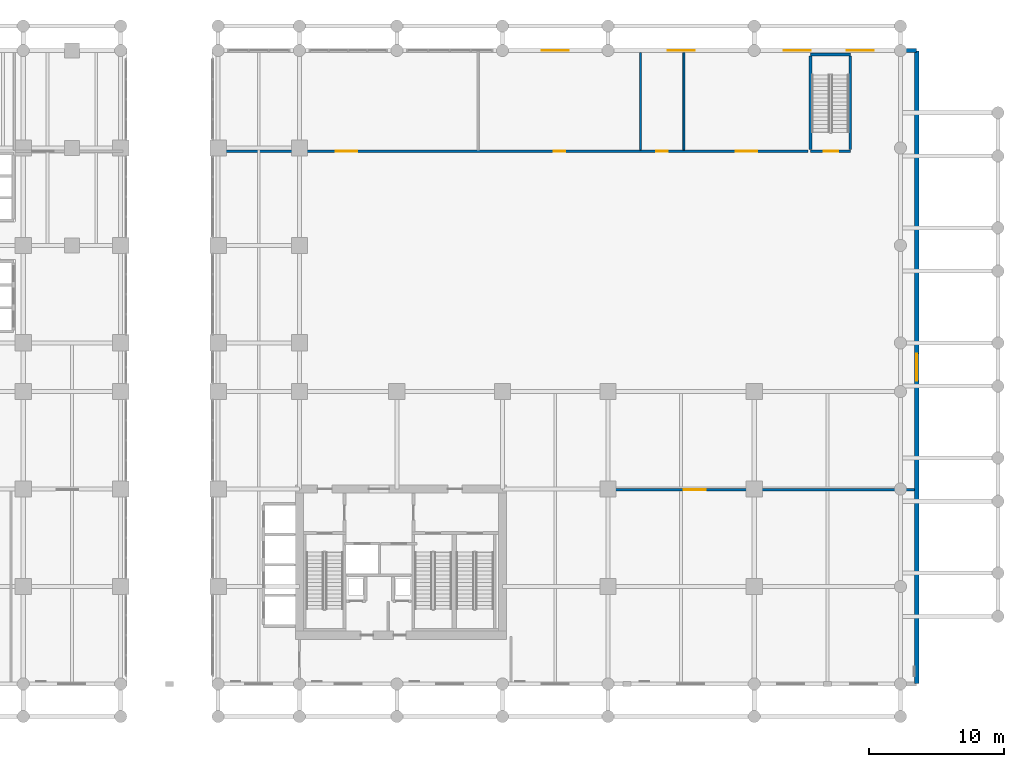
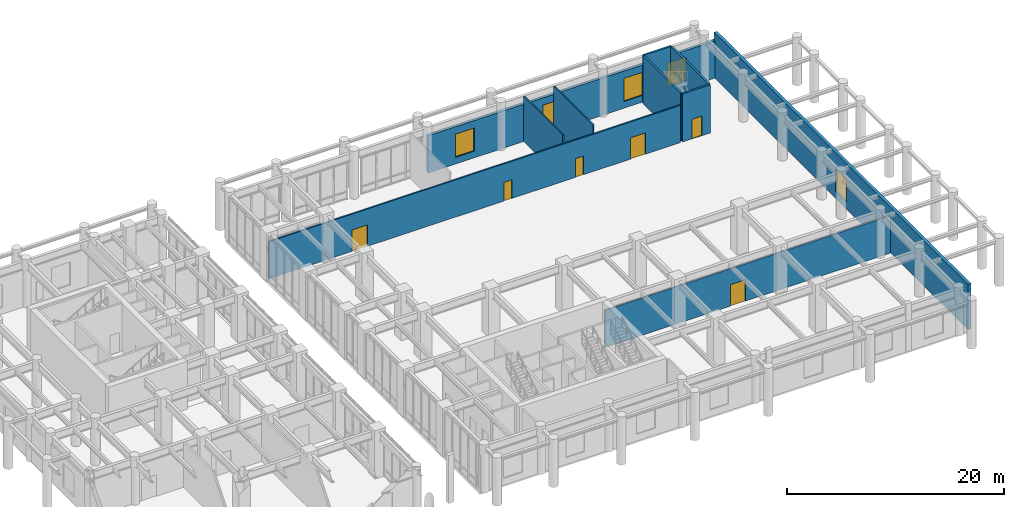
# One storey, part 18 of 23: 10 walls, 6 doors, 5 windows, 11 openings.
"""IFC4 building model written with IfcOpenShell, lengths in metres."""

from ifc_helpers import new_model, si_unit, derived_unit, direction, frame, frame_2d, origin, place, context, subcontext, project, spatial, rectangle, extrude, source, transform, mapped, material, layer, layer_set, type_object, type_shapes, element, fill, save


model = new_model("IFC4")

# Units and contexts
model_context = context("Model", 3, precision=1e-05, world=origin(), true_north=direction((0.0, 1.0)))
body_context = subcontext(model_context, "Body", "Model", "MODEL_VIEW")
ifc_project = project(units=[si_unit("LENGTHUNIT", "METRE"), si_unit("AREAUNIT", "SQUARE_METRE"), si_unit("VOLUMEUNIT", "CUBIC_METRE"), si_unit("PLANEANGLEUNIT", "RADIAN"), si_unit("MASSUNIT", "GRAM", prefix="KILO"), si_unit("THERMODYNAMICTEMPERATUREUNIT", "KELVIN"), si_unit("POWERUNIT", "WATT"), derived_unit("THERMALTRANSMITTANCEUNIT", [(si_unit("POWERUNIT", "WATT"), 1), (si_unit("AREAUNIT", "SQUARE_METRE"), -1), (si_unit("THERMODYNAMICTEMPERATUREUNIT", "KELVIN"), -1)])], contexts=[model_context])

# Site, building, storey
site_placement = place(None, origin())
site = spatial("IfcSite", under=ifc_project, at=site_placement, CompositionType="ELEMENT")
building_placement = place(site_placement, origin())
building = spatial("IfcBuilding", under=site, at=building_placement, Name="Zahravan Archway Hotel and Residences", CompositionType="ELEMENT")
storey_placement = place(building_placement, frame((0.0, 0.0, 5.39990234375)))
storey = spatial("IfcBuildingStorey", under=building, at=storey_placement, Name="L01", CompositionType="ELEMENT", Elevation=5.39990234375)

# Wall, opening, window
ifc_material_1 = material(Name="Agra Buff Sandstone & Insulated Backup", Category="masonry")
ifc_layer_1 = layer(ifc_material_1, 0.320068359375, Name="Agra Buff Sandstone & Insulated Backup", Category="masonry")
ifc_layer_set_1 = layer_set([ifc_layer_1], Name="Agra Buff Sandstone & Insulated Backup")
wall_type_1 = type_object("IfcWallType", Name="EW-SAND-320", PredefinedType="SOLIDWALL", material=ifc_layer_set_1)
wall_1_placement = place(storey_placement, frame((80.39990234375, 0.050048828125, 0.0), z_axis=(0.0, 0.0, 1.0), x_axis=(0.0, 1.0, 0.0)))
wall_1 = element("IfcWall", 1, at=wall_1_placement, inside=storey, type_object=wall_type_1, Name="L01 Podium Sandstone E Wall", PredefinedType="SOLIDWALL", context=body_context, shape_type="SweptSolid", body=[
    extrude(rectangle(XDim=46.699951171875, YDim=0.320068359375, at=frame_2d((23.35009765625, 0.0))), origin(), (0.0, 0.0, 1.0), 5.10009765625),
])
opening_1_placement = place(wall_1_placement, frame((22.35009765625, 0.0, 0.75)))
opening_1 = element("IfcOpeningElement", 2, at=opening_1_placement, cuts=wall_1, Name="Opening W-01", PredefinedType="OPENING", context=body_context, shape_type="SweptSolid", body=[
    extrude(rectangle(XDim=2.0, YDim=2.60009765625, at=frame_2d((1.0, 1.300048828125))), frame((0.0, 0.169921875, 0.0), z_axis=(0.0, -1.0, 0.0), x_axis=(1.0, 0.0, 0.0)), (0.0, 0.0, 1.0), 0.340087890625),
])
ifc_material_2 = material(Name="Bronze-Anodized Thermal-Break Aluminium & Low-E Glass", Category="aluminium")
window_type = type_object("IfcWindowType", Name="WIN-ARC-2000", PartitioningType="DOUBLE_PANEL_VERTICAL", PredefinedType="WINDOW", material=ifc_material_2)
shared_shape_1 = source(origin(), body_context, "Body", "SweptSolid", [
    extrude(rectangle(XDim=2.0, YDim=2.60009765625, at=frame_2d((1.0, 1.300048828125))), frame((0.0, 0.030029296875, 0.0), z_axis=(0.0, -1.0, 0.0), x_axis=(1.0, 0.0, 0.0)), (0.0, 0.0, 1.0), 0.06005859375),
])
type_shapes(window_type, [shared_shape_1])
window_1_placement = place(opening_1_placement, origin())
window_1 = element("IfcWindow", 3, at=window_1_placement, inside=storey, type_object=window_type, Name="L01 Podium Mughal Arch Window 12", OverallHeight=2.60009765625, OverallWidth=2.0, PartitioningType="DOUBLE_PANEL_VERTICAL", PredefinedType="WINDOW", context=body_context, shape_type="MappedRepresentation", body=[
    mapped(shared_shape_1, transform((0.0, 0.0, 0.0), scale=1.0)),
])
fill(opening_1, window_1)

# Wall, openings, windows
wall_2_placement = place(storey_placement, frame((49.800048828125, 46.800048828125, 0.0), z_axis=(0.0, 0.0, 1.0), x_axis=(1.0, 0.0, 0.0)))
wall_2 = element("IfcWall", 4, at=wall_2_placement, inside=storey, type_object=wall_type_1, Name="L01 Podium Sandstone NE Wall", PredefinedType="SOLIDWALL", context=body_context, shape_type="SweptSolid", body=[
    extrude(rectangle(XDim=30.599853515625, YDim=0.320068359375, at=frame_2d((15.2998046875, 0.0))), origin(), (0.0, 0.0, 1.0), 4.18505859375),
])
opening_2_placement = place(wall_2_placement, frame((2.89990234375, 0.0, 0.75)))
opening_2 = element("IfcOpeningElement", 5, at=opening_2_placement, cuts=wall_2, Name="Opening W-01", PredefinedType="OPENING", context=body_context, shape_type="SweptSolid", body=[
    extrude(rectangle(XDim=2.0, YDim=2.60009765625, at=frame_2d((1.0, 1.300048828125))), frame((0.0, 0.169921875, 0.0), z_axis=(0.0, -1.0, 0.0), x_axis=(1.0, 0.0, 0.0)), (0.0, 0.0, 1.0), 0.340087890625),
])
opening_3_placement = place(wall_2_placement, frame((12.199951171875, 0.0, 0.75)))
opening_3 = element("IfcOpeningElement", 6, at=opening_3_placement, cuts=wall_2, Name="Opening W-01", PredefinedType="OPENING", context=body_context, shape_type="SweptSolid", body=[
    extrude(rectangle(XDim=2.0, YDim=2.60009765625, at=frame_2d((1.0, 1.300048828125))), frame((0.0, 0.169921875, 0.0), z_axis=(0.0, -1.0, 0.0), x_axis=(1.0, 0.0, 0.0)), (0.0, 0.0, 1.0), 0.340087890625),
])
opening_4_placement = place(wall_2_placement, frame((20.784912109375, 0.0, 0.75)))
opening_4 = element("IfcOpeningElement", 7, at=opening_4_placement, cuts=wall_2, Name="Opening W-01", PredefinedType="OPENING", context=body_context, shape_type="SweptSolid", body=[
    extrude(rectangle(XDim=2.0, YDim=2.60009765625, at=frame_2d((1.0, 1.300048828125))), frame((0.0, 0.169921875, 0.0), z_axis=(0.0, -1.0, 0.0), x_axis=(1.0, 0.0, 0.0)), (0.0, 0.0, 1.0), 0.340087890625),
])
opening_5_placement = place(wall_2_placement, frame((25.445068359375, 0.0, 0.75)))
opening_5 = element("IfcOpeningElement", 8, at=opening_5_placement, cuts=wall_2, Name="Opening W-01", PredefinedType="OPENING", context=body_context, shape_type="SweptSolid", body=[
    extrude(rectangle(XDim=2.0, YDim=2.60009765625, at=frame_2d((1.0, 1.300048828125))), frame((0.0, 0.169921875, 0.0), z_axis=(0.0, -1.0, 0.0), x_axis=(1.0, 0.0, 0.0)), (0.0, 0.0, 1.0), 0.340087890625),
])
window_2_placement = place(opening_2_placement, origin())
window_2 = element("IfcWindow", 9, at=window_2_placement, inside=storey, type_object=window_type, Name="L01 Podium Mughal Arch Window 16", OverallHeight=2.60009765625, OverallWidth=2.0, PartitioningType="DOUBLE_PANEL_VERTICAL", PredefinedType="WINDOW", context=body_context, shape_type="MappedRepresentation", body=[
    mapped(shared_shape_1, transform((0.0, 0.0, 0.0), scale=1.0)),
])
fill(opening_2, window_2)
window_3_placement = place(opening_3_placement, origin())
window_3 = element("IfcWindow", 10, at=window_3_placement, inside=storey, type_object=window_type, Name="L01 Podium Mughal Arch Window 17", OverallHeight=2.60009765625, OverallWidth=2.0, PartitioningType="DOUBLE_PANEL_VERTICAL", PredefinedType="WINDOW", context=body_context, shape_type="MappedRepresentation", body=[
    mapped(shared_shape_1, transform((0.0, 0.0, 0.0), scale=1.0)),
])
fill(opening_3, window_3)
window_4_placement = place(opening_4_placement, origin())
window_4 = element("IfcWindow", 11, at=window_4_placement, inside=storey, type_object=window_type, Name="L01 Podium Mughal Arch Window 18", OverallHeight=2.60009765625, OverallWidth=2.0, PartitioningType="DOUBLE_PANEL_VERTICAL", PredefinedType="WINDOW", context=body_context, shape_type="MappedRepresentation", body=[
    mapped(shared_shape_1, transform((0.0, 0.0, 0.0), scale=1.0)),
])
fill(opening_4, window_4)
window_5_placement = place(opening_5_placement, origin())
window_5 = element("IfcWindow", 12, at=window_5_placement, inside=storey, type_object=window_type, Name="L01 Podium Mughal Arch Window 19", OverallHeight=2.60009765625, OverallWidth=2.0, PartitioningType="DOUBLE_PANEL_VERTICAL", PredefinedType="WINDOW", context=body_context, shape_type="MappedRepresentation", body=[
    mapped(shared_shape_1, transform((0.0, 0.0, 0.0), scale=1.0)),
])
fill(opening_5, window_5)

# Wall, opening, door
ifc_material_3 = material(Name="Fire-Rated Gypsum & Concrete Block", Category="concrete")
ifc_layer_2 = layer(ifc_material_3, 0.159912109375, Name="Fire-Rated Gypsum & Concrete Block", Category="concrete")
ifc_layer_set_2 = layer_set([ifc_layer_2], Name="Fire-Rated Gypsum & Concrete Block")
wall_type_2 = type_object("IfcWallType", Name="PW-CORR-160", PredefinedType="PARTITIONING", material=ifc_layer_set_2)
wall_3_placement = place(storey_placement, frame((49.889892578125, 14.35009765625, 0.0), z_axis=(0.0, 0.0, 1.0), x_axis=(1.0, 0.0, 0.0)))
wall_3 = element("IfcWall", 13, at=wall_3_placement, inside=storey, type_object=wall_type_2, Name="L01 Partition L01-GSE", PredefinedType="PARTITIONING", context=body_context, shape_type="SweptSolid", body=[
    extrude(rectangle(XDim=30.342041015625, YDim=0.159912109375, at=frame_2d((15.1708984375, 0.0))), origin(), (0.0, 0.0, 1.0), 4.18505859375),
])
opening_6_placement = place(wall_3_placement, frame((13.31005859375, 0.0, 0.0)))
opening_6 = element("IfcOpeningElement", 14, at=opening_6_placement, cuts=wall_3, Name="Opening D-P2", PredefinedType="OPENING", context=body_context, shape_type="SweptSolid", body=[
    extrude(rectangle(XDim=1.60009765625, YDim=2.39990234375, at=frame_2d((0.800048828125, 1.199951171875))), frame((0.0, 0.08984375, 0.0), z_axis=(0.0, -1.0, 0.0), x_axis=(1.0, 0.0, 0.0)), (0.0, 0.0, 1.0), 0.179931640625),
])
ifc_material_4 = material(Name="Bronze-Anodized Glazed Aluminium", Category="aluminium")
door_type_1 = type_object("IfcDoorType", Name="ID-PUBLIC-1600", OperationType="DOUBLE_DOOR_SINGLE_SWING", PredefinedType="DOOR", material=ifc_material_4)
shared_shape_2 = source(origin(), body_context, "Body", "SweptSolid", [
    extrude(rectangle(XDim=1.60009765625, YDim=2.39990234375, at=frame_2d((0.800048828125, 1.199951171875))), frame((0.0, 0.02490234375, 0.0), z_axis=(0.0, -1.0, 0.0), x_axis=(1.0, 0.0, 0.0)), (0.0, 0.0, 1.0), 0.050048828125),
])
type_shapes(door_type_1, [shared_shape_2])
door_1_placement = place(opening_6_placement, origin())
door_1 = element("IfcDoor", 15, at=door_1_placement, inside=storey, type_object=door_type_1, Name="L01 Anchor Department Store Door", OperationType="DOUBLE_DOOR_SINGLE_SWING", OverallHeight=2.39990234375, OverallWidth=1.60009765625, PredefinedType="DOOR", context=body_context, shape_type="MappedRepresentation", body=[
    mapped(shared_shape_2, transform((0.0, 0.0, 0.0), scale=1.0)),
])
fill(opening_6, door_1)

# Wall, openings, doors
wall_4_placement = place(storey_placement, frame((28.639892578125, 39.35009765625, 0.0), z_axis=(0.0, 0.0, 1.0), x_axis=(1.0, 0.0, 0.0)))
wall_4 = element("IfcWall", 16, at=wall_4_placement, inside=storey, type_object=wall_type_2, Name="L01 Partition L01-GN", PredefinedType="PARTITIONING", context=body_context, shape_type="SweptSolid", body=[
    extrude(rectangle(XDim=43.72021484375, YDim=0.159912109375, at=frame_2d((21.860107421875, 0.0))), origin(), (0.0, 0.0, 1.0), 4.18505859375),
])
opening_7_placement = place(wall_4_placement, frame((8.8349609375, 0.0, 0.0)))
opening_7 = element("IfcOpeningElement", 17, at=opening_7_placement, cuts=wall_4, Name="Opening D-P2", PredefinedType="OPENING", context=body_context, shape_type="SweptSolid", body=[
    extrude(rectangle(XDim=1.60009765625, YDim=2.39990234375, at=frame_2d((0.800048828125, 1.199951171875))), frame((0.0, 0.08984375, 0.0), z_axis=(0.0, -1.0, 0.0), x_axis=(1.0, 0.0, 0.0)), (0.0, 0.0, 1.0), 0.179931640625),
])
opening_8_placement = place(wall_4_placement, frame((24.93505859375, 0.0, 0.0)))
opening_8 = element("IfcOpeningElement", 18, at=opening_8_placement, cuts=wall_4, Name="Opening D-B1", PredefinedType="OPENING", context=body_context, shape_type="SweptSolid", body=[
    extrude(rectangle(XDim=0.85009765625, YDim=2.10009765625, at=frame_2d((0.425048828125, 1.050048828125))), frame((0.0, 0.08984375, 0.0), z_axis=(0.0, -1.0, 0.0), x_axis=(1.0, 0.0, 0.0)), (0.0, 0.0, 1.0), 0.179931640625),
])
opening_9_placement = place(wall_4_placement, frame((32.534912109375, 0.0, 0.0)))
opening_9 = element("IfcOpeningElement", 19, at=opening_9_placement, cuts=wall_4, Name="Opening D-B1", PredefinedType="OPENING", context=body_context, shape_type="SweptSolid", body=[
    extrude(rectangle(XDim=0.85009765625, YDim=2.10009765625, at=frame_2d((0.425048828125, 1.050048828125))), frame((0.0, 0.08984375, 0.0), z_axis=(0.0, -1.0, 0.0), x_axis=(1.0, 0.0, 0.0)), (0.0, 0.0, 1.0), 0.179931640625),
])
opening_10_placement = place(wall_4_placement, frame((38.385009765625, 0.0, 0.0)))
opening_10 = element("IfcOpeningElement", 20, at=opening_10_placement, cuts=wall_4, Name="Opening D-P2", PredefinedType="OPENING", context=body_context, shape_type="SweptSolid", body=[
    extrude(rectangle(XDim=1.60009765625, YDim=2.39990234375, at=frame_2d((0.800048828125, 1.199951171875))), frame((0.0, 0.08984375, 0.0), z_axis=(0.0, -1.0, 0.0), x_axis=(1.0, 0.0, 0.0)), (0.0, 0.0, 1.0), 0.179931640625),
])
door_2_placement = place(opening_7_placement, origin())
door_2 = element("IfcDoor", 21, at=door_2_placement, inside=storey, type_object=door_type_1, Name="L01 Confectionery Boutique Door", OperationType="DOUBLE_DOOR_SINGLE_SWING", OverallHeight=2.39990234375, OverallWidth=1.60009765625, PredefinedType="DOOR", context=body_context, shape_type="MappedRepresentation", body=[
    mapped(shared_shape_2, transform((0.0, 0.0, 0.0), scale=1.0)),
])
fill(opening_7, door_2)
door_3_placement = place(opening_10_placement, origin())
door_3 = element("IfcDoor", 22, at=door_3_placement, inside=storey, type_object=door_type_1, Name="L01 Galleria Family Lounge Door", OperationType="DOUBLE_DOOR_SINGLE_SWING", OverallHeight=2.39990234375, OverallWidth=1.60009765625, PredefinedType="DOOR", context=body_context, shape_type="MappedRepresentation", body=[
    mapped(shared_shape_2, transform((0.0, 0.0, 0.0), scale=1.0)),
])
fill(opening_10, door_3)
ifc_material_5 = material(Name="Hardwood Veneer Timber", Category="wood")
door_type_2 = type_object("IfcDoorType", Name="ID-BATH-850", OperationType="NOTDEFINED", PredefinedType="DOOR", material=ifc_material_5)
shared_shape_3 = source(origin(), body_context, "Body", "SweptSolid", [
    extrude(rectangle(XDim=0.85009765625, YDim=2.10009765625, at=frame_2d((0.425048828125, 1.050048828125))), frame((0.0, 0.02490234375, 0.0), z_axis=(0.0, -1.0, 0.0), x_axis=(1.0, 0.0, 0.0)), (0.0, 0.0, 1.0), 0.050048828125),
])
type_shapes(door_type_2, [shared_shape_3])
door_4_placement = place(opening_8_placement, origin())
door_4 = element("IfcDoor", 23, at=door_4_placement, inside=storey, type_object=door_type_2, Name="L01 Galleria Public Restrooms Door", OperationType="SINGLE_SWING_RIGHT", OverallHeight=2.10009765625, OverallWidth=0.85009765625, PredefinedType="DOOR", context=body_context, shape_type="MappedRepresentation", body=[
    mapped(shared_shape_3, transform((0.0, 0.0, 0.0), scale=1.0)),
])
fill(opening_8, door_4)
door_5_placement = place(opening_9_placement, origin())
door_5 = element("IfcDoor", 24, at=door_5_placement, inside=storey, type_object=door_type_2, Name="L01 Accessible Restroom Door", OperationType="SINGLE_SWING_LEFT", OverallHeight=2.10009765625, OverallWidth=0.85009765625, PredefinedType="DOOR", context=body_context, shape_type="MappedRepresentation", body=[
    mapped(shared_shape_3, transform((0.0, 0.0, 0.0), scale=1.0)),
])
fill(opening_9, door_5)

# Walls
ifc_material_6 = material(Name="Moisture-Resistant Blockwork", Category="masonry")
ifc_layer_3 = layer(ifc_material_6, 0.139892578125, Name="Moisture-Resistant Blockwork", Category="masonry")
ifc_layer_set_3 = layer_set([ifc_layer_3], Name="Moisture-Resistant Blockwork")
wall_type_3 = type_object("IfcWallType", Name="PW-WET-140", PredefinedType="PARTITIONING", material=ifc_layer_set_3)
for number, where, z_axis, x_axis, name in (
    (25, (60.0, 39.43994140625, 0.0), (0.0, 0.0, 1.0), (0.0, 1.0, 0.0), "L01 Partition L01-NV3"),
    (26, (63.199951171875, 39.43994140625, 0.0), (0.0, 0.0, 1.0), (0.0, 1.0, 0.0), "L01 Partition L01-NV4"),
):
    element("IfcWall", number, at=place(storey_placement, frame(where, z_axis=z_axis, x_axis=x_axis)), inside=storey, type_object=wall_type_3, Name=name, PredefinedType="PARTITIONING", context=body_context, shape_type="SweptSolid", body=[
        extrude(rectangle(XDim=7.192138671875, YDim=0.139892578125, at=frame_2d((3.59619140625, 0.0))), origin(), (0.0, 0.0, 1.0), 5.10009765625),
    ])
ifc_material_7 = material(Name="Concrete C50/60", Category="concrete")
ifc_layer_4 = layer(ifc_material_7, 0.199951171875, Name="Concrete C50/60", Category="concrete")
ifc_layer_set_4 = layer_set([ifc_layer_4], Name="Concrete C50/60")
wall_type_4 = type_object("IfcWallType", Name="SW-STAIR-200", PredefinedType="SHEAR", material=ifc_layer_set_4)
for number, where, z_axis, x_axis, name in (
    (27, (72.56005859375, 39.469970703125, 0.0), (0.0, 0.0, 1.0), (0.0, 1.0, 0.0), "L01 Stairwell RC Wall SP1-W"),
    (28, (75.5, 39.469970703125, 0.0), (0.0, 0.0, 1.0), (0.0, 1.0, 0.0), "L01 Stairwell RC Wall SP1-E"),
):
    element("IfcWall", number, at=place(storey_placement, frame(where, z_axis=z_axis, x_axis=x_axis)), inside=storey, type_object=wall_type_4, Name=name, PredefinedType="SHEAR", context=body_context, shape_type="SweptSolid", body=[
        extrude(rectangle(XDim=6.909912109375, YDim=0.199951171875, at=frame_2d((3.455078125, 0.0))), origin(), (0.0, 0.0, 1.0), 5.400146484375),
    ])
wall_5_placement = place(storey_placement, frame((72.56005859375, 46.5, 0.0), z_axis=(0.0, 0.0, 1.0), x_axis=(1.0, 0.0, 0.0)))
element("IfcWall", 29, at=wall_5_placement, inside=storey, type_object=wall_type_4, Name="L01 Stairwell RC Wall SP1-N", PredefinedType="SHEAR", context=body_context, shape_type="SweptSolid", body=[
    extrude(rectangle(XDim=2.93994140625, YDim=0.199951171875, at=frame_2d((1.469970703125, 0.0))), origin(), (0.0, 0.0, 1.0), 5.400146484375),
])

# Wall, opening, door
wall_6_placement = place(storey_placement, frame((72.56005859375, 39.35009765625, 0.0), z_axis=(0.0, 0.0, 1.0), x_axis=(1.0, 0.0, 0.0)))
wall_6 = element("IfcWall", 30, at=wall_6_placement, inside=storey, type_object=wall_type_4, Name="L01 Stairwell RC Wall SP1-S", PredefinedType="SHEAR", context=body_context, shape_type="SweptSolid", body=[
    extrude(rectangle(XDim=2.93994140625, YDim=0.199951171875, at=frame_2d((1.469970703125, 0.0))), origin(), (0.0, 0.0, 1.0), 5.400146484375),
])
opening_11_placement = place(wall_6_placement, frame((0.985107421875, 0.0, 0.0)))
opening_11 = element("IfcOpeningElement", 31, at=opening_11_placement, cuts=wall_6, Name="Opening FD-S1", PredefinedType="OPENING", context=body_context, shape_type="SweptSolid", body=[
    extrude(rectangle(XDim=1.050048828125, YDim=2.199951171875, at=frame_2d((0.52490234375, 1.10009765625))), frame((0.0, 0.10986328125, 0.0), z_axis=(0.0, -1.0, 0.0), x_axis=(1.0, 0.0, 0.0)), (0.0, 0.0, 1.0), 0.219970703125),
])
ifc_material_8 = material(Name="Fire-Rated Painted Steel", Category="steel")
door_type_3 = type_object("IfcDoorType", Name="FD-STAIR-1100", OperationType="NOTDEFINED", PredefinedType="DOOR", material=ifc_material_8)
shared_shape_4 = source(origin(), body_context, "Body", "SweptSolid", [
    extrude(rectangle(XDim=1.050048828125, YDim=2.199951171875, at=frame_2d((0.52490234375, 1.10009765625))), frame((0.0, 0.02490234375, 0.0), z_axis=(0.0, -1.0, 0.0), x_axis=(1.0, 0.0, 0.0)), (0.0, 0.0, 1.0), 0.050048828125),
])
type_shapes(door_type_3, [shared_shape_4])
door_6_placement = place(opening_11_placement, origin())
door_6 = element("IfcDoor", 32, at=door_6_placement, inside=storey, type_object=door_type_3, Name="L01 Stair ST-P1 Door", OperationType="SINGLE_SWING_RIGHT", OverallHeight=2.199951171875, OverallWidth=1.050048828125, PredefinedType="DOOR", context=body_context, shape_type="MappedRepresentation", body=[
    mapped(shared_shape_4, transform((0.0, 0.0, 0.0), scale=1.0)),
])
fill(opening_11, door_6)

save(model, "model.ifc")
